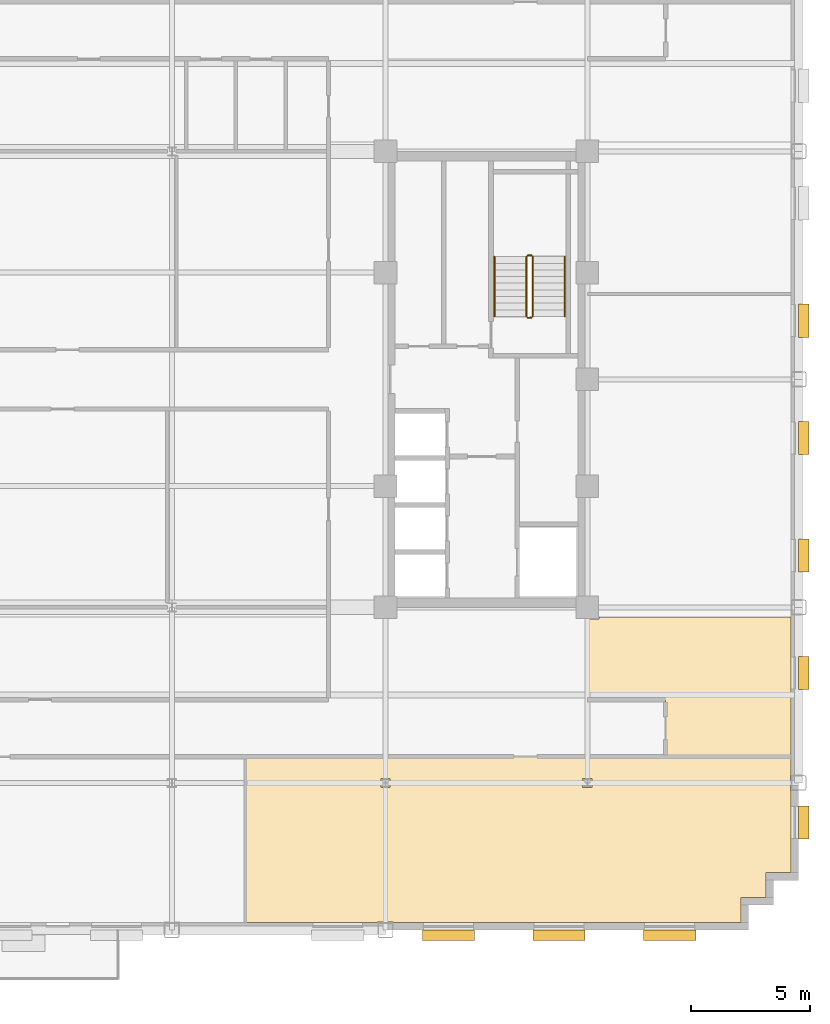
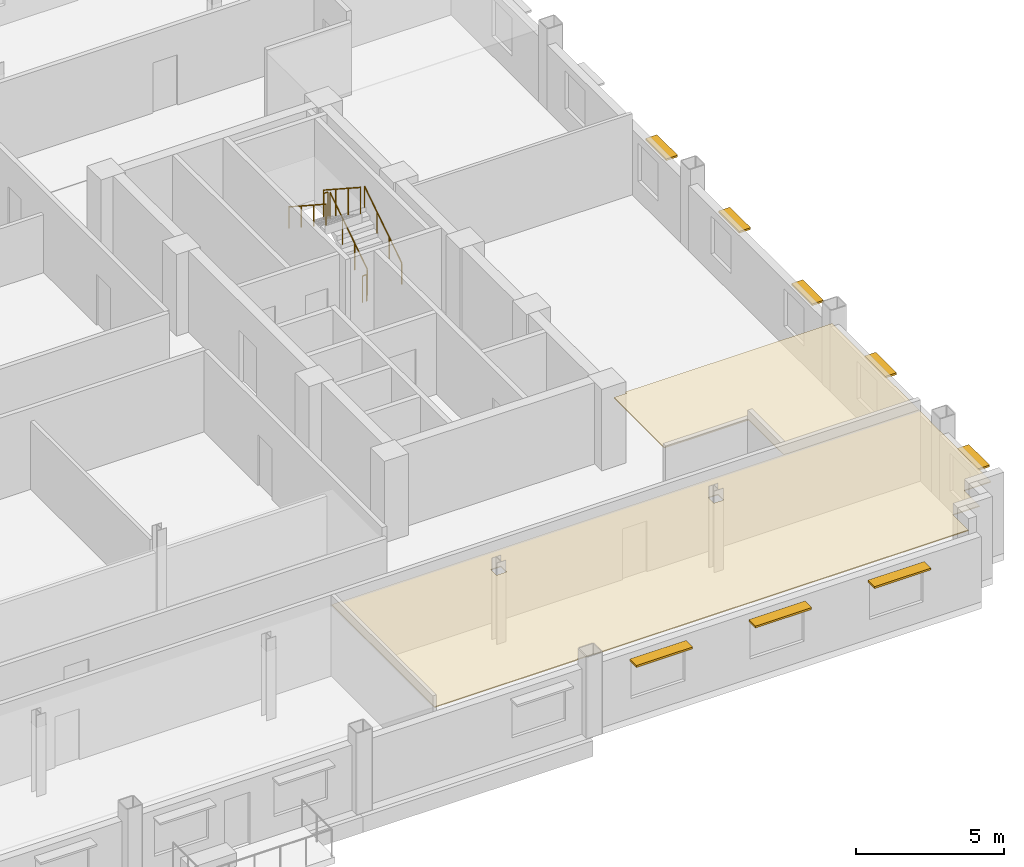
# One storey, part 13 of 14: 8 shading devices, 6 railings, 2 coverings.
"""IFC4 building model written with IfcOpenShell, lengths in metres."""

from ifc_helpers import new_model, si_unit, direction, frame, origin, origin_2d, place, context, subcontext, project, spatial, polyline, rectangle, circle, outline, extrude, source, transform, mapped, material, layer, layer_set, type_object, type_shapes, element, save


model = new_model("IFC4")

# Units and contexts
model_context = context("Model", 3, precision=1e-05, world=origin(), true_north=direction((0.0, 1.0)))
body_context = subcontext(model_context, "Body", "Model", "MODEL_VIEW")
ifc_project = project(units=[si_unit("LENGTHUNIT", "METRE"), si_unit("AREAUNIT", "SQUARE_METRE"), si_unit("VOLUMEUNIT", "CUBIC_METRE"), si_unit("PLANEANGLEUNIT", "RADIAN"), si_unit("MASSUNIT", "GRAM", prefix="KILO")], contexts=[model_context])

# Site, building, storey
site_placement = place(None, origin())
site = spatial("IfcSite", under=ifc_project, at=site_placement, CompositionType="ELEMENT")
building_placement = place(site_placement, origin())
building = spatial("IfcBuilding", under=site, at=building_placement, Name="Nuvemarco Arch Tower", CompositionType="ELEMENT")
storey_placement = place(building_placement, frame((0.0, 0.0, 142.10009765625)))
storey = spatial("IfcBuildingStorey", under=building, at=storey_placement, Name="L37", CompositionType="ELEMENT", Elevation=142.10009765625)

# Coverings
ifc_material_1 = material(Name="Mineral acoustic ceiling tile")
ifc_layer = layer(ifc_material_1, 0.0400390625, Name="COV-ACOUSTIC-CLG")
ifc_layer_set = layer_set([ifc_layer], Name="Mineral acoustic ceiling tile")
covering_type = type_object("IfcCoveringType", Name="COV-ACOUSTIC-CLG", PredefinedType="CEILING", material=ifc_layer_set)
covering_1_placement = place(storey_placement, frame((0.0, 0.0, 2.849853515625)))
element("IfcCovering", 1, at=covering_1_placement, inside=storey, type_object=covering_type, Name="L37 suspended acoustic ceiling 3", PredefinedType="CEILING", context=body_context, shape_type="SweptSolid", body=[
    extrude(outline(polyline([(17.5, -10.090087890625), (17.989990234375, -10.090087890625), (17.989990234375, -10.0), (26.080078125, -10.0), (26.080078125, -15.89990234375), (20.800048828125, -15.89990234375), (20.800048828125, -13.5), (17.5, -13.5), (17.5, -10.090087890625)])), origin(), (0.0, 0.0, 1.0), 0.0400390625),
])
covering_2_placement = place(storey_placement, frame((0.0, 0.0, 2.849853515625)))
element("IfcCovering", 2, at=covering_2_placement, inside=storey, type_object=covering_type, Name="L37 suspended acoustic ceiling 4", PredefinedType="CEILING", context=body_context, shape_type="SweptSolid", body=[
    extrude(outline(polyline([(23.97998046875, -22.8798828125), (9.340087890625, -22.8798828125), (9.340087890625, -22.860107421875), (8.659912109375, -22.860107421875), (8.659912109375, -22.8798828125), (3.10009765625, -22.8798828125), (3.10009765625, -15.89990234375), (6.60009765625, -15.89990234375), (9.0, -15.89990234375), (20.800048828125, -15.89990234375), (26.080078125, -15.89990234375), (26.080078125, -16.659912109375), (26.06005859375, -16.659912109375), (26.06005859375, -17.340087890625), (26.080078125, -17.340087890625), (26.080078125, -20.780029296875), (25.030029296875, -20.780029296875), (25.030029296875, -21.830078125), (23.97998046875, -21.830078125), (23.97998046875, -22.8798828125)]), holes=[polyline([(9.195068359375, -17.195068359375), (9.195068359375, -16.804931640625), (8.804931640625, -16.804931640625), (8.804931640625, -17.195068359375), (9.195068359375, -17.195068359375)]), polyline([(17.695068359375, -17.195068359375), (17.695068359375, -16.804931640625), (17.304931640625, -16.804931640625), (17.304931640625, -17.195068359375), (17.695068359375, -17.195068359375)])]), origin(), (0.0, 0.0, 1.0), 0.0400390625),
])

# Railings
ifc_material_2 = material(Name="Brushed stainless steel handrail", Category="steel")
railing_type_1 = type_object("IfcRailingType", Name="RL-HANDRAIL-900", PredefinedType="HANDRAIL", material=ifc_material_2)
railing_1_placement = place(storey_placement, frame((16.550048828125, 2.64990234375, 0.182373046875)))
element("IfcRailing", 3, at=railing_1_placement, inside=storey, type_object=railing_type_1, Name="L37 ST-2 stair handrail 1", PredefinedType="HANDRAIL", context=body_context, shape_type="SweptSolid", body=[
    extrude(circle(Radius=0.02392578125, at=origin_2d()), frame((0.0, 0.0, 0.8759765625), z_axis=(0.0, 0.837749427056, 0.546054848405), x_axis=(-1.0, 0.0, 0.0)), (0.0, 0.0, 1.0), 3.008056640625),
    extrude(circle(Radius=0.02099609375, at=origin_2d()), origin(), (0.0, 0.0, 1.0), 0.851806640625),
    extrude(circle(Radius=0.02099609375, at=origin_2d()), frame((0.0, 0.840087890625, 0.547607421875)), (0.0, 0.0, 1.0), 0.851806640625),
    extrude(circle(Radius=0.02099609375, at=origin_2d()), frame((0.0, 1.679931640625, 1.094970703125)), (0.0, 0.0, 1.0), 0.851806640625),
    extrude(circle(Radius=0.02099609375, at=origin_2d()), frame((0.0, 2.52001953125, 1.642578125)), (0.0, 0.0, 1.0), 0.851806640625),
])
railing_2_placement = place(storey_placement, frame((13.590087890625, 5.169921875, 2.00732421875)))
element("IfcRailing", 4, at=railing_2_placement, inside=storey, type_object=railing_type_1, Name="L37 ST-2 stair handrail 2", PredefinedType="HANDRAIL", context=body_context, shape_type="SweptSolid", body=[
    extrude(circle(Radius=0.02392578125, at=origin_2d()), frame((0.0, 0.0, 0.8759765625), z_axis=(0.0, -0.837749427056, 0.546054848405), x_axis=(1.0, 0.0, 0.0)), (0.0, 0.0, 1.0), 3.008056640625),
    extrude(circle(Radius=0.02099609375, at=origin_2d()), origin(), (0.0, 0.0, 1.0), 0.851806640625),
    extrude(circle(Radius=0.02099609375, at=origin_2d()), frame((0.0, -0.840087890625, 0.547607421875)), (0.0, 0.0, 1.0), 0.851806640625),
    extrude(circle(Radius=0.02099609375, at=origin_2d()), frame((0.0, -1.679931640625, 1.094970703125)), (0.0, 0.0, 1.0), 0.851806640625),
    extrude(circle(Radius=0.02099609375, at=origin_2d()), frame((0.0, -2.52001953125, 1.642578125)), (0.0, 0.0, 1.0), 0.851806640625),
])
ifc_material_3 = material(Name="Painted balustrade steel S355", Category="steel")
railing_type_2 = type_object("IfcRailingType", Name="RL-STAIR-GUARD", PredefinedType="GUARDRAIL", material=ifc_material_3)
railing_3_placement = place(storey_placement, frame((15.199951171875, 2.64990234375, 0.182373046875)))
element("IfcRailing", 5, at=railing_3_placement, inside=storey, type_object=railing_type_2, Name="L37 ST-2 stair guard 1", PredefinedType="GUARDRAIL", context=body_context, shape_type="SweptSolid", body=[
    extrude(circle(Radius=0.02392578125, at=origin_2d()), frame((0.0, 0.0, 1.09619140625), z_axis=(0.0, 0.837749427056, 0.546054848405), x_axis=(-1.0, 0.0, 0.0)), (0.0, 0.0, 1.0), 3.008056640625),
    extrude(circle(Radius=0.02099609375, at=origin_2d()), origin(), (0.0, 0.0, 1.0), 1.072021484375),
    extrude(circle(Radius=0.02099609375, at=origin_2d()), frame((0.0, 0.840087890625, 0.547607421875)), (0.0, 0.0, 1.0), 1.072021484375),
    extrude(circle(Radius=0.02099609375, at=origin_2d()), frame((0.0, 1.679931640625, 1.094970703125)), (0.0, 0.0, 1.0), 1.072021484375),
    extrude(circle(Radius=0.02099609375, at=origin_2d()), frame((0.0, 2.52001953125, 1.642578125)), (0.0, 0.0, 1.0), 1.072021484375),
])
railing_4_placement = place(storey_placement, frame((15.14990234375, 5.219970703125, 1.824951171875)))
element("IfcRailing", 6, at=railing_4_placement, inside=storey, type_object=railing_type_2, Name="L37 ST-2 stair guard 2", PredefinedType="GUARDRAIL", context=body_context, shape_type="SweptSolid", body=[
    extrude(circle(Radius=0.02392578125, at=origin_2d()), frame((0.0, 0.0, 1.09619140625), z_axis=(-1.0, 0.0, 0.0), x_axis=(0.0, -1.0, 0.0)), (0.0, 0.0, 1.0), 0.159912109375),
    extrude(circle(Radius=0.02099609375, at=origin_2d()), origin(), (0.0, 0.0, 1.0), 1.072021484375),
    extrude(circle(Radius=0.02099609375, at=origin_2d()), frame((-0.159912109375, 0.0, 0.0)), (0.0, 0.0, 1.0), 1.072021484375),
])
railing_5_placement = place(storey_placement, frame((14.93994140625, 5.169921875, 2.00732421875)))
element("IfcRailing", 7, at=railing_5_placement, inside=storey, type_object=railing_type_2, Name="L37 ST-2 stair guard 3", PredefinedType="GUARDRAIL", context=body_context, shape_type="SweptSolid", body=[
    extrude(circle(Radius=0.02392578125, at=origin_2d()), frame((0.0, 0.0, 1.09619140625), z_axis=(0.0, -0.837749427056, 0.546054848405), x_axis=(1.0, 0.0, 0.0)), (0.0, 0.0, 1.0), 3.008056640625),
    extrude(circle(Radius=0.02099609375, at=origin_2d()), origin(), (0.0, 0.0, 1.0), 1.072021484375),
    extrude(circle(Radius=0.02099609375, at=origin_2d()), frame((0.0, -0.840087890625, 0.547607421875)), (0.0, 0.0, 1.0), 1.072021484375),
    extrude(circle(Radius=0.02099609375, at=origin_2d()), frame((0.0, -1.679931640625, 1.094970703125)), (0.0, 0.0, 1.0), 1.072021484375),
    extrude(circle(Radius=0.02099609375, at=origin_2d()), frame((0.0, -2.52001953125, 1.642578125)), (0.0, 0.0, 1.0), 1.072021484375),
])
railing_6_placement = place(storey_placement, frame((15.14990234375, 2.60009765625, 0.0)))
element("IfcRailing", 8, at=railing_6_placement, inside=storey, type_object=railing_type_2, Name="L37 ST-2 stair guard 4", PredefinedType="GUARDRAIL", context=body_context, shape_type="SweptSolid", body=[
    extrude(circle(Radius=0.02392578125, at=origin_2d()), frame((0.0, 0.0, 1.09619140625), z_axis=(-1.0, 0.0, 0.0), x_axis=(0.0, -1.0, 0.0)), (0.0, 0.0, 1.0), 0.159912109375),
    extrude(circle(Radius=0.02099609375, at=origin_2d()), origin(), (0.0, 0.0, 1.0), 1.072021484375),
    extrude(circle(Radius=0.02099609375, at=origin_2d()), frame((-0.159912109375, 0.0, 0.0)), (0.0, 0.0, 1.0), 1.072021484375),
])

# Shading devices
ifc_material_4 = material(Name="Anodised aluminium 6063-T6", Category="aluminium")
shading_device_type_1 = type_object("IfcShadingDeviceType", Name="SHD-BRISE-SOLEIL", PredefinedType="USERDEFINED", material=ifc_material_4)
shared_shape_1 = source(origin(), body_context, "Body", "SweptSolid", [
    extrude(rectangle(XDim=2.199951171875, YDim=0.449951171875, at=origin_2d()), origin(), (0.0, 0.0, 1.0), 0.080078125),
])
type_shapes(shading_device_type_1, [shared_shape_1])
for number, where, z_axis, x_axis, name in (
    (9, (11.64990234375, -23.4150390625, 2.36474609375), (0.0, 0.0, 1.0), (1.0, 0.0, 0.0), "L37 horizontal brise-soleil sunshade"),
    (10, (16.31005859375, -23.4150390625, 2.36474609375), (0.0, 0.0, 1.0), (1.0, 0.0, 0.0), "L37 horizontal brise-soleil sunshade"),
    (11, (20.969970703125, -23.4150390625, 2.36474609375), (0.0, 0.0, 1.0), (1.0, 0.0, 0.0), "L37 horizontal brise-soleil sunshade"),
):
    element("IfcShadingDevice", number, at=place(storey_placement, frame(where, z_axis=z_axis, x_axis=x_axis)), inside=storey, type_object=shading_device_type_1, Name=name, ObjectType="SUNSHADE", PredefinedType="USERDEFINED", context=body_context, shape_type="MappedRepresentation", body=[
        mapped(shared_shape_1, transform((0.0, 0.0, 0.0), scale=1.0)),
    ])
shading_device_type_2 = type_object("IfcShadingDeviceType", Name="SHD-BRISE-NARROW", PredefinedType="USERDEFINED", material=ifc_material_4)
shared_shape_2 = source(origin(), body_context, "Body", "SweptSolid", [
    extrude(rectangle(XDim=1.39990234375, YDim=0.449951171875, at=origin_2d()), origin(), (0.0, 0.0, 1.0), 0.080078125),
])
type_shapes(shading_device_type_2, [shared_shape_2])
for number, where, z_axis, x_axis, name in (
    (12, (26.614990234375, -18.660888671875, 2.36474609375), (0.0, 0.0, 1.0), (0.0, 1.0, 0.0), "L37 horizontal brise-soleil sunshade"),
    (13, (26.614990234375, -12.364990234375, 2.36474609375), (0.0, 0.0, 1.0), (0.0, 1.0, 0.0), "L37 horizontal brise-soleil sunshade"),
    (14, (26.614990234375, -7.4189453125, 2.36474609375), (0.0, 0.0, 1.0), (0.0, 1.0, 0.0), "L37 horizontal brise-soleil sunshade"),
    (15, (26.614990234375, -2.472900390625, 2.36474609375), (0.0, 0.0, 1.0), (0.0, 1.0, 0.0), "L37 horizontal brise-soleil sunshade"),
    (16, (26.614990234375, 2.472900390625, 2.36474609375), (0.0, 0.0, 1.0), (0.0, 1.0, 0.0), "L37 horizontal brise-soleil sunshade"),
):
    element("IfcShadingDevice", number, at=place(storey_placement, frame(where, z_axis=z_axis, x_axis=x_axis)), inside=storey, type_object=shading_device_type_2, Name=name, ObjectType="SUNSHADE", PredefinedType="USERDEFINED", context=body_context, shape_type="MappedRepresentation", body=[
        mapped(shared_shape_2, transform((0.0, 0.0, 0.0), scale=1.0)),
    ])

save(model, "model.ifc")
